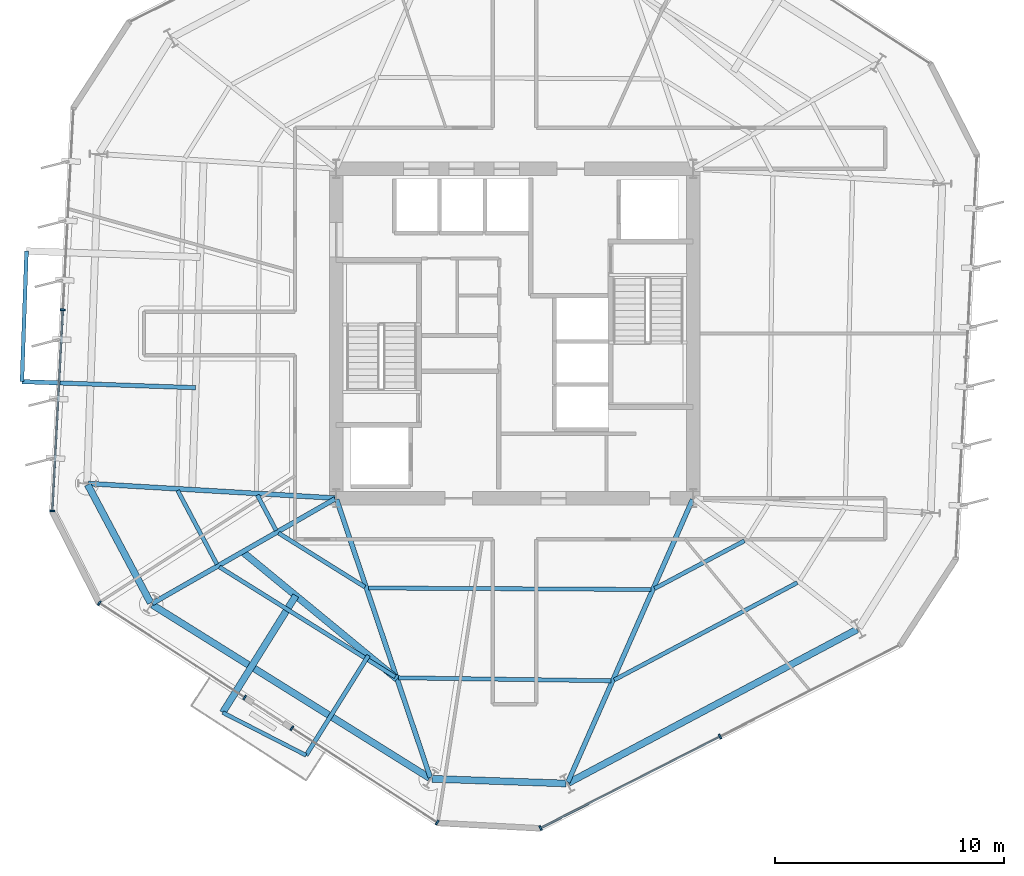
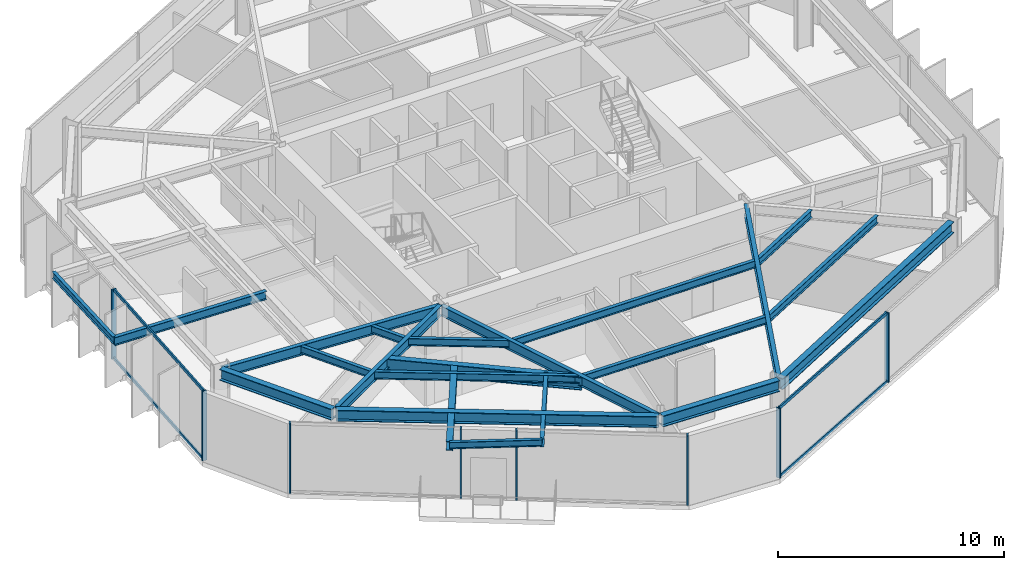
# One storey, part 2 of 10: 22 beams, 12 members, 4 elements without a shape of their own.
"""IFC4 building model written with IfcOpenShell, lengths in metres."""

from ifc_helpers import new_model, si_unit, direction, frame, origin, origin_2d, place, context, subcontext, project, spatial, rectangle, i_section, extrude, material, layer, layer_set, material_profile, profile_set, type_object, element, aggregate, save


model = new_model("IFC4")

# Units and contexts
model_context = context("Model", 3, precision=1e-05, world=origin(), true_north=direction((0.0, 1.0)))
body_context = subcontext(model_context, "Body", "Model", "MODEL_VIEW")
ifc_project = project(units=[si_unit("LENGTHUNIT", "METRE"), si_unit("AREAUNIT", "SQUARE_METRE"), si_unit("VOLUMEUNIT", "CUBIC_METRE"), si_unit("PLANEANGLEUNIT", "RADIAN"), si_unit("MASSUNIT", "GRAM", prefix="KILO")], contexts=[model_context])

# Site, building, storey
site_placement = place(None, origin())
site = spatial("IfcSite", under=ifc_project, at=site_placement, CompositionType="ELEMENT")
building_placement = place(site_placement, origin())
building = spatial("IfcBuilding", under=site, at=building_placement, Name="Kranzbogen Civic Tower", CompositionType="ELEMENT")
storey_placement = place(building_placement, frame((0.0, 0.0, 130.39990234375)))
storey = spatial("IfcBuildingStorey", under=building, at=storey_placement, Name="L31", CompositionType="ELEMENT", Elevation=130.39990234375)

# Beams
ifc_material_1 = material(Name="Steel S355", Category="steel")
ifc_material_profile_1 = material_profile(ifc_material_1, i_section(OverallWidth=0.18994140625, OverallDepth=0.449951171875, WebThickness=0.009521484375, FlangeThickness=0.0146484375, at=origin_2d()), Name="IPE 450")
ifc_profile_set_1 = profile_set([ifc_material_profile_1], Name="Steel S355")
beam_type_1 = type_object("IfcBeamType", Name="Braced Terrace Edge Beam IPE 450", PredefinedType="BEAM", material=ifc_profile_set_1)
beam_1_placement = place(storey_placement, frame((18.611083984375, 10.926025390625, 3.525146484375), z_axis=(-0.52998614975, -0.848006297779, 0.0), x_axis=(0.848006297779, -0.52998614975, 0.0)))
element("IfcBeam", 1, at=beam_1_placement, inside=storey, type_object=beam_type_1, Name="L32 back-spanned terrace beam L32-TB2-2", PredefinedType="BEAM", context=body_context, shape_type="SweptSolid", body=[
    extrude(i_section(OverallWidth=0.18994140625, OverallDepth=0.449951171875, WebThickness=0.009521484375, FlangeThickness=0.0146484375, at=origin_2d()), origin(), (0.0, 0.0, 1.0), 5.1474609375),
])
beam_2_placement = place(storey_placement, frame((11.05810546875, 22.62890625, 3.4951171875), z_axis=(-0.999391062927, 0.034892740535, 0.0), x_axis=(-0.034892740535, -0.999391062927, 0.0)))
element("IfcBeam", 2, at=beam_2_placement, inside=storey, type_object=beam_type_1, Name="L32 back-spanned terrace beam L32-ST-2", PredefinedType="BEAM", context=body_context, shape_type="SweptSolid", body=[
    extrude(i_section(OverallWidth=0.18994140625, OverallDepth=0.449951171875, WebThickness=0.009521484375, FlangeThickness=0.0146484375, at=origin_2d()), origin(), (0.0, 0.0, 1.0), 7.5986328125),
])

# Curtain wall, members
ifc_material_2 = material(Name="Pale Anodised Aluminium", Category="aluminium")
ifc_layer = layer(ifc_material_2, 0.219970703125, Name="Pale Anodised Aluminium")
ifc_layer_set = layer_set([ifc_layer], Name="Pale Anodised Aluminium")
curtain_wall_type = type_object("IfcCurtainWallType", Name="Zone 2 Stick Curtain Wall System CW-03", PredefinedType="USERDEFINED", material=ifc_layer_set)
curtain_wall_1_placement = place(storey_placement, origin())
curtain_wall_1 = element("IfcCurtainWall", 3, at=curtain_wall_1_placement, inside=storey, type_object=curtain_wall_type, Name="L31 curtain wall CW-L31-F3", ObjectType="STICK CURTAIN WALL", PredefinedType="USERDEFINED")
ifc_material_profile_2 = material_profile(ifc_material_2, rectangle(XDim=0.074951171875, YDim=0.219970703125, at=origin_2d()), Name="ALU-M 75x220")
ifc_profile_set_2 = profile_set([ifc_material_profile_2], Name="Pale Anodised Aluminium")
member_type_1 = type_object("IfcMemberType", Name="Curtain Wall Mullion ALU-M 75x220", PredefinedType="MULLION", material=ifc_profile_set_2)
member_1_placement = place(storey_placement, frame((5.255615234375, 26.033935546875, 0.0), z_axis=(0.0, 0.0, 1.0), x_axis=(-0.052353856933, -0.998628596458, 0.0)))
member_1 = element("IfcMember", 4, at=member_1_placement, type_object=member_type_1, Name="CW-03 mullion 2", PredefinedType="MULLION", context=body_context, shape_type="SweptSolid", body=[
    extrude(rectangle(XDim=0.074951171875, YDim=0.219970703125, at=origin_2d()), origin(), (0.0, 0.0, 1.0), 3.760009765625),
])
member_2_placement = place(storey_placement, frame((4.794677734375, 17.241943359375, 0.0), z_axis=(0.0, 0.0, 1.0), x_axis=(-0.052353856933, -0.998628596458, 0.0)))
member_2 = element("IfcMember", 5, at=member_2_placement, type_object=member_type_1, Name="CW-03 mullion 3", PredefinedType="MULLION", context=body_context, shape_type="SweptSolid", body=[
    extrude(rectangle(XDim=0.074951171875, YDim=0.219970703125, at=origin_2d()), origin(), (0.0, 0.0, 1.0), 3.760009765625),
])

curtain_wall_2_placement = place(storey_placement, origin())
curtain_wall_2 = element("IfcCurtainWall", 6, at=curtain_wall_2_placement, inside=storey, type_object=curtain_wall_type, Name="L31 curtain wall CW-L31-F4-S1", ObjectType="STICK CURTAIN WALL", PredefinedType="USERDEFINED")
member_3_placement = place(storey_placement, frame((6.84814453125, 13.212646484375, 0.0), z_axis=(0.0, 0.0, 1.0), x_axis=(0.838641092332, -0.544684420791, 0.0)))
member_3 = element("IfcMember", 7, at=member_3_placement, type_object=member_type_1, Name="CW-03 mullion 1", PredefinedType="MULLION", context=body_context, shape_type="SweptSolid", body=[
    extrude(rectangle(XDim=0.074951171875, YDim=0.219970703125, at=origin_2d()), origin(), (0.0, 0.0, 1.0), 3.760009765625),
])
member_4_placement = place(storey_placement, frame((13.199951171875, 9.08740234375, 0.0), z_axis=(0.0, 0.0, 1.0), x_axis=(0.838641092332, -0.544684420791, 0.0)))
member_4 = element("IfcMember", 8, at=member_4_placement, type_object=member_type_1, Name="CW-03 mullion 2", PredefinedType="MULLION", context=body_context, shape_type="SweptSolid", body=[
    extrude(rectangle(XDim=0.074951171875, YDim=0.219970703125, at=origin_2d()), origin(), (0.0, 0.0, 1.0), 3.760009765625),
])
aggregate(curtain_wall_2, [member_3, member_4])

curtain_wall_3_placement = place(storey_placement, origin())
curtain_wall_3 = element("IfcCurtainWall", 9, at=curtain_wall_3_placement, inside=storey, type_object=curtain_wall_type, Name="L31 curtain wall CW-L31-F4-S2", ObjectType="STICK CURTAIN WALL", PredefinedType="USERDEFINED")
member_5_placement = place(storey_placement, frame((15.26318359375, 7.74755859375, 0.0), z_axis=(0.0, 0.0, 1.0), x_axis=(0.838641092332, -0.544684420791, 0.0)))
member_5 = element("IfcMember", 10, at=member_5_placement, type_object=member_type_1, Name="CW-03 mullion 1", PredefinedType="MULLION", context=body_context, shape_type="SweptSolid", body=[
    extrude(rectangle(XDim=0.074951171875, YDim=0.219970703125, at=origin_2d()), origin(), (0.0, 0.0, 1.0), 3.760009765625),
])
member_6_placement = place(storey_placement, frame((21.61474609375, 3.622314453125, 0.0), z_axis=(0.0, 0.0, 1.0), x_axis=(0.838641092332, -0.544684420791, 0.0)))
member_6 = element("IfcMember", 11, at=member_6_placement, type_object=member_type_1, Name="CW-03 mullion 2", PredefinedType="MULLION", context=body_context, shape_type="SweptSolid", body=[
    extrude(rectangle(XDim=0.074951171875, YDim=0.219970703125, at=origin_2d()), origin(), (0.0, 0.0, 1.0), 3.760009765625),
])
aggregate(curtain_wall_3, [member_5, member_6])

curtain_wall_4_placement = place(storey_placement, origin())
curtain_wall_4 = element("IfcCurtainWall", 12, at=curtain_wall_4_placement, inside=storey, type_object=curtain_wall_type, Name="L31 curtain wall CW-L31-F5", ObjectType="STICK CURTAIN WALL", PredefinedType="USERDEFINED")
member_7_placement = place(storey_placement, frame((26.1318359375, 3.385498046875, 0.0), z_axis=(0.0, 0.0, 1.0), x_axis=(0.891017035872, 0.453969868809, 0.0)))
member_7 = element("IfcMember", 13, at=member_7_placement, type_object=member_type_1, Name="CW-03 mullion 1", PredefinedType="MULLION", context=body_context, shape_type="SweptSolid", body=[
    extrude(rectangle(XDim=0.074951171875, YDim=0.219970703125, at=origin_2d()), origin(), (0.0, 0.0, 1.0), 3.760009765625),
])
member_8_placement = place(storey_placement, frame((33.9765625, 7.382568359375, 0.0), z_axis=(0.0, 0.0, 1.0), x_axis=(0.891017035872, 0.453969868809, 0.0)))
member_8 = element("IfcMember", 14, at=member_8_placement, type_object=member_type_1, Name="CW-03 mullion 2", PredefinedType="MULLION", context=body_context, shape_type="SweptSolid", body=[
    extrude(rectangle(XDim=0.074951171875, YDim=0.219970703125, at=origin_2d()), origin(), (0.0, 0.0, 1.0), 3.760009765625),
])

# Member
ifc_material_profile_3 = material_profile(ifc_material_2, rectangle(XDim=0.074951171875, YDim=0.1650390625, at=origin_2d()), Name="ALU-T 75x165")
ifc_profile_set_3 = profile_set([ifc_material_profile_3], Name="Pale Anodised Aluminium")
member_type_2 = type_object("IfcMemberType", Name="Curtain Wall Transom ALU-T 75x165", PredefinedType="USERDEFINED", material=ifc_profile_set_3)
member_9_placement = place(storey_placement, frame((5.25390625, 26.004150390625, 0.030029296875), z_axis=(-0.0523507402, -0.998628759851, 0.0), x_axis=(0.998628759851, -0.0523507402, 0.0)))
member_9 = element("IfcMember", 15, at=member_9_placement, type_object=member_type_2, Name="CW-03 transom 2.1", ObjectType="TRANSOM", PredefinedType="USERDEFINED", context=body_context, shape_type="SweptSolid", body=[
    extrude(rectangle(XDim=0.074951171875, YDim=0.1650390625, at=origin_2d()), origin(), (0.0, 0.0, 1.0), 8.744140625),
])

member_10_placement = place(storey_placement, frame((5.25390625, 26.004150390625, 3.72998046875), z_axis=(-0.0523507402, -0.998628759851, 0.0), x_axis=(0.998628759851, -0.0523507402, 0.0)))
member_10 = element("IfcMember", 16, at=member_10_placement, type_object=member_type_2, Name="CW-03 transom 2.2", ObjectType="TRANSOM", PredefinedType="USERDEFINED", context=body_context, shape_type="SweptSolid", body=[
    extrude(rectangle(XDim=0.074951171875, YDim=0.1650390625, at=origin_2d()), origin(), (0.0, 0.0, 1.0), 8.744140625),
])

aggregate(curtain_wall_1, [member_1, member_2, member_9, member_10])

member_11_placement = place(storey_placement, frame((26.158447265625, 3.399169921875, 0.030029296875), z_axis=(0.891012009224, 0.45397973459, 0.0), x_axis=(-0.45397973459, 0.891012009224, 0.0)))
member_11 = element("IfcMember", 17, at=member_11_placement, type_object=member_type_2, Name="CW-03 transom 1.1", ObjectType="TRANSOM", PredefinedType="USERDEFINED", context=body_context, shape_type="SweptSolid", body=[
    extrude(rectangle(XDim=0.074951171875, YDim=0.1650390625, at=origin_2d()), origin(), (0.0, 0.0, 1.0), 8.744384765625),
])

member_12_placement = place(storey_placement, frame((26.158447265625, 3.399169921875, 3.72998046875), z_axis=(0.891012009224, 0.45397973459, 0.0), x_axis=(-0.45397973459, 0.891012009224, 0.0)))
member_12 = element("IfcMember", 18, at=member_12_placement, type_object=member_type_2, Name="CW-03 transom 1.2", ObjectType="TRANSOM", PredefinedType="USERDEFINED", context=body_context, shape_type="SweptSolid", body=[
    extrude(rectangle(XDim=0.074951171875, YDim=0.1650390625, at=origin_2d()), origin(), (0.0, 0.0, 1.0), 8.744384765625),
])

aggregate(curtain_wall_4, [member_7, member_8, member_11, member_12])

# Beams
ifc_material_profile_4 = material_profile(ifc_material_1, i_section(OverallWidth=0.300048828125, OverallDepth=0.5, WebThickness=0.014404296875, FlangeThickness=0.028076171875, at=origin_2d()), Name="HEB 500")
ifc_profile_set_4 = profile_set([ifc_material_profile_4], Name="Steel S355")
beam_type_2 = type_object("IfcBeamType", Name="Perimeter Tube Spandrel Beam HEB 500", PredefinedType="SPANDREL", material=ifc_profile_set_4)
beam_3_placement = place(storey_placement, frame((15.43408203125, 13.5400390625, 3.5), z_axis=(-0.529988012662, -0.848005133495, 0.0), x_axis=(0.848005133495, -0.529988012662, 0.0)))
element("IfcBeam", 19, at=beam_3_placement, inside=storey, type_object=beam_type_2, Name="L32 back-spanned terrace beam L32-TB2-1", PredefinedType="SPANDREL", context=body_context, shape_type="SweptSolid", body=[
    extrude(i_section(OverallWidth=0.300048828125, OverallDepth=0.5, WebThickness=0.014404296875, FlangeThickness=0.028076171875, at=origin_2d()), origin(), (0.0, 0.0, 1.0), 6.02490234375),
])
ifc_material_profile_5 = material_profile(ifc_material_1, i_section(OverallWidth=0.300048828125, OverallDepth=0.60009765625, WebThickness=0.015380859375, FlangeThickness=0.030029296875, at=origin_2d()), Name="HEB 600")
ifc_profile_set_5 = profile_set([ifc_material_profile_5], Name="Steel S355")
beam_type_3 = type_object("IfcBeamType", Name="Perimeter Tube Spandrel Beam HEB 600", PredefinedType="SPANDREL", material=ifc_profile_set_5)
beam_4_placement = place(storey_placement, frame((6.337890625, 18.39111328125, 3.460205078125), z_axis=(0.469565926668, -0.882897412224, 0.0), x_axis=(0.882897412224, 0.469565926668, 0.0)))
element("IfcBeam", 20, at=beam_4_placement, inside=storey, type_object=beam_type_3, Name="L31 perimeter spandrel beam 01", PredefinedType="SPANDREL", context=body_context, shape_type="SweptSolid", body=[
    extrude(i_section(OverallWidth=0.300048828125, OverallDepth=0.60009765625, WebThickness=0.015380859375, FlangeThickness=0.030029296875, at=origin_2d()), origin(), (0.0, 0.0, 1.0), 5.852294921875),
])
beam_5_placement = place(storey_placement, frame((9.1650390625, 13.138916015625, 3.460205078125), z_axis=(0.848051101349, -0.52991445489, 0.0), x_axis=(0.52991445489, 0.848051101349, 0.0)))
element("IfcBeam", 21, at=beam_5_placement, inside=storey, type_object=beam_type_3, Name="L31 perimeter spandrel beam 02", PredefinedType="SPANDREL", context=body_context, shape_type="SweptSolid", body=[
    extrude(i_section(OverallWidth=0.300048828125, OverallDepth=0.60009765625, WebThickness=0.015380859375, FlangeThickness=0.030029296875, at=origin_2d()), origin(), (0.0, 0.0, 1.0), 14.286865234375),
])
beam_6_placement = place(storey_placement, frame((21.39208984375, 5.533935546875, 3.460205078125), z_axis=(0.999393148233, -0.03483296234, 0.0), x_axis=(0.03483296234, 0.999393148233, 0.0)))
element("IfcBeam", 22, at=beam_6_placement, inside=storey, type_object=beam_type_3, Name="L31 perimeter spandrel beam 03", PredefinedType="SPANDREL", context=body_context, shape_type="SweptSolid", body=[
    extrude(i_section(OverallWidth=0.300048828125, OverallDepth=0.60009765625, WebThickness=0.015380859375, FlangeThickness=0.030029296875, at=origin_2d()), origin(), (0.0, 0.0, 1.0), 5.8525390625),
])
beam_7_placement = place(storey_placement, frame((27.35400390625, 5.35595703125, 3.460205078125), z_axis=(0.882948194046, 0.469470432116, 0.0), x_axis=(-0.469470432116, 0.882948194046, 0.0)))
element("IfcBeam", 23, at=beam_7_placement, inside=storey, type_object=beam_type_3, Name="L31 perimeter spandrel beam 04", PredefinedType="SPANDREL", context=body_context, shape_type="SweptSolid", body=[
    extrude(i_section(OverallWidth=0.300048828125, OverallDepth=0.60009765625, WebThickness=0.015380859375, FlangeThickness=0.030029296875, at=origin_2d()), origin(), (0.0, 0.0, 1.0), 14.28857421875),
])
ifc_material_profile_6 = material_profile(ifc_material_1, i_section(OverallWidth=0.300048828125, OverallDepth=0.699951171875, WebThickness=0.01708984375, FlangeThickness=0.031982421875, at=origin_2d()), Name="HEB 700")
ifc_profile_set_6 = profile_set([ifc_material_profile_6], Name="Steel S355")
beam_type_4 = type_object("IfcBeamType", Name="Perimeter Tube Spandrel Beam HEB 700", PredefinedType="SPANDREL", material=ifc_profile_set_6)
beam_8_placement = place(storey_placement, frame((13.10595703125, 15.4560546875, 3.400146484375), z_axis=(0.772133132713, -0.635460797663, 0.0), x_axis=(0.635460797663, 0.772133132713, 0.0)))
element("IfcBeam", 24, at=beam_8_placement, inside=storey, type_object=beam_type_4, Name="L32 balcony back-span header girder L32-TB2", PredefinedType="SPANDREL", context=body_context, shape_type="SweptSolid", body=[
    extrude(i_section(OverallWidth=0.300048828125, OverallDepth=0.699951171875, WebThickness=0.01708984375, FlangeThickness=0.031982421875, at=origin_2d()), origin(), (0.0, 0.0, 1.0), 8.751220703125),
])
ifc_material_profile_7 = material_profile(ifc_material_1, i_section(OverallWidth=0.2099609375, OverallDepth=0.550048828125, WebThickness=0.010986328125, FlangeThickness=0.01708984375, at=origin_2d()), Name="IPE 550")
ifc_profile_set_7 = profile_set([ifc_material_profile_7], Name="Steel S355")
beam_type_5 = type_object("IfcBeamType", Name="Radial Tower Floor Girder IPE 550", PredefinedType="BEAM", material=ifc_profile_set_7)
beam_9_placement = place(storey_placement, frame((6.3701171875, 18.43994140625, 3.485107421875), z_axis=(0.998260925387, -0.058950189528, 0.0), x_axis=(0.058950189528, 0.998260925387, 0.0)))
element("IfcBeam", 25, at=beam_9_placement, inside=storey, type_object=beam_type_5, Name="L31 radial floor girder 01", PredefinedType="BEAM", context=body_context, shape_type="SweptSolid", body=[
    extrude(i_section(OverallWidth=0.2099609375, OverallDepth=0.550048828125, WebThickness=0.010986328125, FlangeThickness=0.01708984375, at=origin_2d()), origin(), (0.0, 0.0, 1.0), 10.78857421875),
])
beam_10_placement = place(storey_placement, frame((9.166015625, 13.200927734375, 3.485107421875), z_axis=(0.867868812182, 0.496793442833, 0.0), x_axis=(-0.496793442833, 0.867868812182, 0.0)))
element("IfcBeam", 26, at=beam_10_placement, inside=storey, type_object=beam_type_5, Name="L31 radial floor girder 02", PredefinedType="BEAM", context=body_context, shape_type="SweptSolid", body=[
    extrude(i_section(OverallWidth=0.2099609375, OverallDepth=0.550048828125, WebThickness=0.010986328125, FlangeThickness=0.01708984375, at=origin_2d()), origin(), (0.0, 0.0, 1.0), 9.197265625),
])
beam_11_placement = place(storey_placement, frame((21.31298828125, 5.593017578125, 3.485107421875), z_axis=(-0.319316617377, 0.947648087566, 0.0), x_axis=(-0.947648087566, -0.319316617377, 0.0)))
element("IfcBeam", 27, at=beam_11_placement, inside=storey, type_object=beam_type_5, Name="L31 radial floor girder 03", PredefinedType="BEAM", context=body_context, shape_type="SweptSolid", body=[
    extrude(i_section(OverallWidth=0.2099609375, OverallDepth=0.550048828125, WebThickness=0.010986328125, FlangeThickness=0.01708984375, at=origin_2d()), origin(), (0.0, 0.0, 1.0), 12.821044921875),
])
beam_12_placement = place(storey_placement, frame((27.324951171875, 5.383056640625, 3.485107421875), z_axis=(0.403459127705, 0.914997667905, 0.0), x_axis=(-0.914997667905, 0.403459127705, 0.0)))
element("IfcBeam", 28, at=beam_12_placement, inside=storey, type_object=beam_type_5, Name="L31 radial floor girder 04", PredefinedType="BEAM", context=body_context, shape_type="SweptSolid", body=[
    extrude(i_section(OverallWidth=0.2099609375, OverallDepth=0.550048828125, WebThickness=0.010986328125, FlangeThickness=0.01708984375, at=origin_2d()), origin(), (0.0, 0.0, 1.0), 13.510498046875),
])
ifc_material_profile_8 = material_profile(ifc_material_1, i_section(OverallWidth=0.169921875, OverallDepth=0.360107421875, WebThickness=0.008056640625, FlangeThickness=0.0126953125, at=origin_2d()), Name="IPE 360")
ifc_profile_set_8 = profile_set([ifc_material_profile_8], Name="Steel S355")
beam_type_6 = type_object("IfcBeamType", Name="Secondary Composite Floor Joist IPE 360", PredefinedType="JOIST", material=ifc_profile_set_8)
beam_13_placement = place(storey_placement, frame((12.240966796875, 8.430908203125, 3.570068359375), z_axis=(0.889605655791, -0.456729435427, 0.0), x_axis=(0.456729435427, 0.889605655791, 0.0)))
element("IfcBeam", 29, at=beam_13_placement, inside=storey, type_object=beam_type_6, Name="L32 terrace outer edge trimmer L32-TB2", PredefinedType="JOIST", context=body_context, shape_type="SweptSolid", body=[
    extrude(i_section(OverallWidth=0.169921875, OverallDepth=0.360107421875, WebThickness=0.008056640625, FlangeThickness=0.0126953125, at=origin_2d()), origin(), (0.0, 0.0, 1.0), 4.093994140625),
])
beam_14_placement = place(storey_placement, frame((3.6640625, 28.60205078125, 3.5400390625), z_axis=(-0.035008467318, -0.999387015733, 0.0), x_axis=(0.999387015733, -0.035008467318, 0.0)))
element("IfcBeam", 30, at=beam_14_placement, inside=storey, type_object=beam_type_6, Name="L32 terrace outer edge trimmer L32-ST", PredefinedType="JOIST", context=body_context, shape_type="SweptSolid", body=[
    extrude(i_section(OverallWidth=0.169921875, OverallDepth=0.360107421875, WebThickness=0.008056640625, FlangeThickness=0.0126953125, at=origin_2d()), origin(), (0.0, 0.0, 1.0), 5.71142578125),
])
ifc_material_profile_9 = material_profile(ifc_material_1, i_section(OverallWidth=0.179931640625, OverallDepth=0.39990234375, WebThickness=0.008544921875, FlangeThickness=0.013427734375, at=origin_2d()), Name="IPE 400")
ifc_profile_set_9 = profile_set([ifc_material_profile_9], Name="Steel S355")
beam_type_7 = type_object("IfcBeamType", Name="Secondary Composite Floor Joist IPE 400", PredefinedType="JOIST", material=ifc_profile_set_9)
beam_15_placement = place(storey_placement, frame((10.26806640625, 18.14208984375, 3.56005859375), z_axis=(0.469338791783, -0.88301817565, 0.0), x_axis=(0.88301817565, 0.469338791783, 0.0)))
element("IfcBeam", 31, at=beam_15_placement, inside=storey, type_object=beam_type_7, Name="L31 secondary floor joist 1.01", PredefinedType="JOIST", context=body_context, shape_type="SweptSolid", body=[
    extrude(i_section(OverallWidth=0.179931640625, OverallDepth=0.39990234375, WebThickness=0.008544921875, FlangeThickness=0.013427734375, at=origin_2d()), origin(), (0.0, 0.0, 1.0), 3.66259765625),
])
beam_16_placement = place(storey_placement, frame((13.7529296875, 17.93505859375, 3.56005859375), z_axis=(0.46943723363, -0.882965845139, 0.0), x_axis=(0.882965845139, 0.46943723363, 0.0)))
element("IfcBeam", 32, at=beam_16_placement, inside=storey, type_object=beam_type_7, Name="L31 secondary floor joist 2.01", PredefinedType="JOIST", context=body_context, shape_type="SweptSolid", body=[
    extrude(i_section(OverallWidth=0.179931640625, OverallDepth=0.39990234375, WebThickness=0.008544921875, FlangeThickness=0.013427734375, at=origin_2d()), origin(), (0.0, 0.0, 1.0), 1.7509765625),
])
beam_17_placement = place(storey_placement, frame((12.093017578125, 14.794921875, 3.56005859375), z_axis=(0.848025549308, -0.529955345026, 0.0), x_axis=(0.529955345026, 0.848025549308, 0.0)))
element("IfcBeam", 33, at=beam_17_placement, inside=storey, type_object=beam_type_7, Name="L31 secondary floor joist 1.02", PredefinedType="JOIST", context=body_context, shape_type="SweptSolid", body=[
    extrude(i_section(OverallWidth=0.179931640625, OverallDepth=0.39990234375, WebThickness=0.008544921875, FlangeThickness=0.013427734375, at=origin_2d()), origin(), (0.0, 0.0, 1.0), 9.06103515625),
])
beam_18_placement = place(storey_placement, frame((14.679931640625, 16.27587890625, 3.56005859375), z_axis=(0.848093834398, -0.529846060716, 0.0), x_axis=(0.529846060716, 0.848093834398, 0.0)))
element("IfcBeam", 34, at=beam_18_placement, inside=storey, type_object=beam_type_7, Name="L31 secondary floor joist 2.02", PredefinedType="JOIST", context=body_context, shape_type="SweptSolid", body=[
    extrude(i_section(OverallWidth=0.179931640625, OverallDepth=0.39990234375, WebThickness=0.008544921875, FlangeThickness=0.013427734375, at=origin_2d()), origin(), (0.0, 0.0, 1.0), 4.4501953125),
])
beam_19_placement = place(storey_placement, frame((19.924072265625, 9.949951171875, 3.56005859375), z_axis=(0.999900525148, -0.014104602386, 0.0), x_axis=(0.014104602386, 0.999900525148, 0.0)))
element("IfcBeam", 35, at=beam_19_placement, inside=storey, type_object=beam_type_7, Name="L31 secondary floor joist 1.03", PredefinedType="JOIST", context=body_context, shape_type="SweptSolid", body=[
    extrude(i_section(OverallWidth=0.179931640625, OverallDepth=0.39990234375, WebThickness=0.008544921875, FlangeThickness=0.013427734375, at=origin_2d()), origin(), (0.0, 0.0, 1.0), 9.27783203125),
])
beam_20_placement = place(storey_placement, frame((18.60205078125, 13.875, 3.56005859375), z_axis=(0.999985774147, -0.005333995002, 0.0), x_axis=(0.005333995002, 0.999985774147, 0.0)))
element("IfcBeam", 36, at=beam_20_placement, inside=storey, type_object=beam_type_7, Name="L31 secondary floor joist 2.03", PredefinedType="JOIST", context=body_context, shape_type="SweptSolid", body=[
    extrude(i_section(OverallWidth=0.179931640625, OverallDepth=0.39990234375, WebThickness=0.008544921875, FlangeThickness=0.013427734375, at=origin_2d()), origin(), (0.0, 0.0, 1.0), 12.358154296875),
])
beam_21_placement = place(storey_placement, frame((29.35107421875, 9.85498046875, 3.56005859375), z_axis=(0.882960787661, 0.469446746131, 0.0), x_axis=(-0.469446746131, 0.882960787661, 0.0)))
element("IfcBeam", 37, at=beam_21_placement, inside=storey, type_object=beam_type_7, Name="L31 secondary floor joist 1.04", PredefinedType="JOIST", context=body_context, shape_type="SweptSolid", body=[
    extrude(i_section(OverallWidth=0.179931640625, OverallDepth=0.39990234375, WebThickness=0.008544921875, FlangeThickness=0.013427734375, at=origin_2d()), origin(), (0.0, 0.0, 1.0), 9.0615234375),
])
beam_22_placement = place(storey_placement, frame((31.111083984375, 13.846923828125, 3.56005859375), z_axis=(0.882991399158, 0.469389165844, 0.0), x_axis=(-0.469389165844, 0.882991399158, 0.0)))
element("IfcBeam", 38, at=beam_22_placement, inside=storey, type_object=beam_type_7, Name="L31 secondary floor joist 2.04", PredefinedType="JOIST", context=body_context, shape_type="SweptSolid", body=[
    extrude(i_section(OverallWidth=0.179931640625, OverallDepth=0.39990234375, WebThickness=0.008544921875, FlangeThickness=0.013427734375, at=origin_2d()), origin(), (0.0, 0.0, 1.0), 4.45068359375),
])

save(model, "model.ifc")
